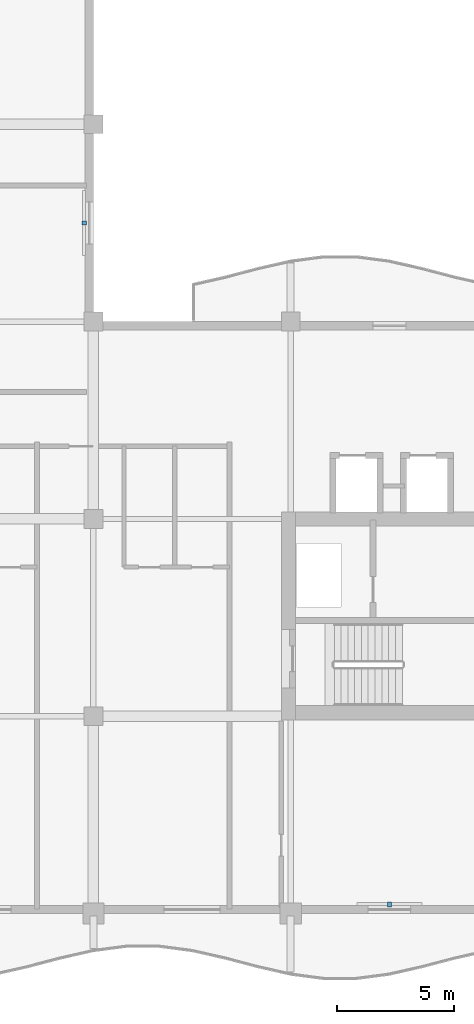
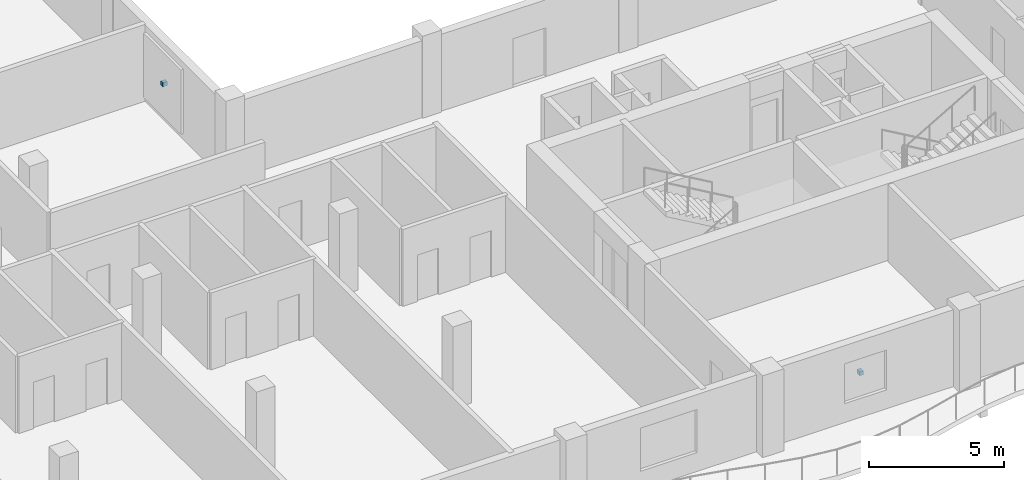
# One storey, part 9 of 12: 2 discrete accessories.
"""IFC4 building model written with IfcOpenShell, lengths in metres."""

from ifc_helpers import new_model, si_unit, direction, frame, origin, origin_2d, place, context, subcontext, project, spatial, rectangle, extrude, material, type_object, element, save


model = new_model("IFC4")

# Units and contexts
model_context = context("Model", 3, precision=1e-05, world=origin(), true_north=direction((0.0, 1.0)))
body_context = subcontext(model_context, "Body", "Model", "MODEL_VIEW")
ifc_project = project(units=[si_unit("LENGTHUNIT", "METRE"), si_unit("AREAUNIT", "SQUARE_METRE"), si_unit("VOLUMEUNIT", "CUBIC_METRE"), si_unit("PLANEANGLEUNIT", "RADIAN"), si_unit("MASSUNIT", "GRAM", prefix="KILO")], contexts=[model_context])

# Site, building, storey
site_placement = place(None, origin())
site = spatial("IfcSite", under=ifc_project, at=site_placement, CompositionType="ELEMENT")
building_placement = place(site_placement, origin())
building = spatial("IfcBuilding", under=site, at=building_placement, Name="Koriwani Terraces Tower", CompositionType="ELEMENT")
storey_placement = place(building_placement, frame((0.0, 0.0, 249.0)))
storey = spatial("IfcBuildingStorey", under=building, at=storey_placement, Name="L61", CompositionType="ELEMENT", Elevation=249.0)

# Discrete accessories
ifc_material = material(Name="Steel ASTM A572 Grade 50", Category="steel")
discrete_accessory_type = type_object("IfcDiscreteAccessoryType", Name="BAGUETTE_STANDOFF_BRACKET", PredefinedType="BRACKET", material=ifc_material)
for number, where, z_axis, x_axis, name in (
    (1, (33.2099609375, 37.800048828125, 1.64501953125), (0.0, 0.0, 1.0), (0.0, -1.0, 0.0), "L61 Terracotta Baguette Bracket (NW_IN-2)"),
    (2, (46.199951171875, 8.7900390625, 1.64501953125), (0.0, 0.0, 1.0), (-1.0, 0.0, 0.0), "L61 Terracotta Baguette Bracket (S-12)"),
):
    element("IfcDiscreteAccessory", number, at=place(storey_placement, frame(where, z_axis=z_axis, x_axis=x_axis)), inside=storey, type_object=discrete_accessory_type, Name=name, PredefinedType="BRACKET", context=body_context, shape_type="SweptSolid", body=[
        extrude(rectangle(XDim=0.159912109375, YDim=0.199951171875, at=origin_2d()), origin(), (0.0, 0.0, 1.0), 0.179931640625),
    ])

save(model, "model.ifc")
